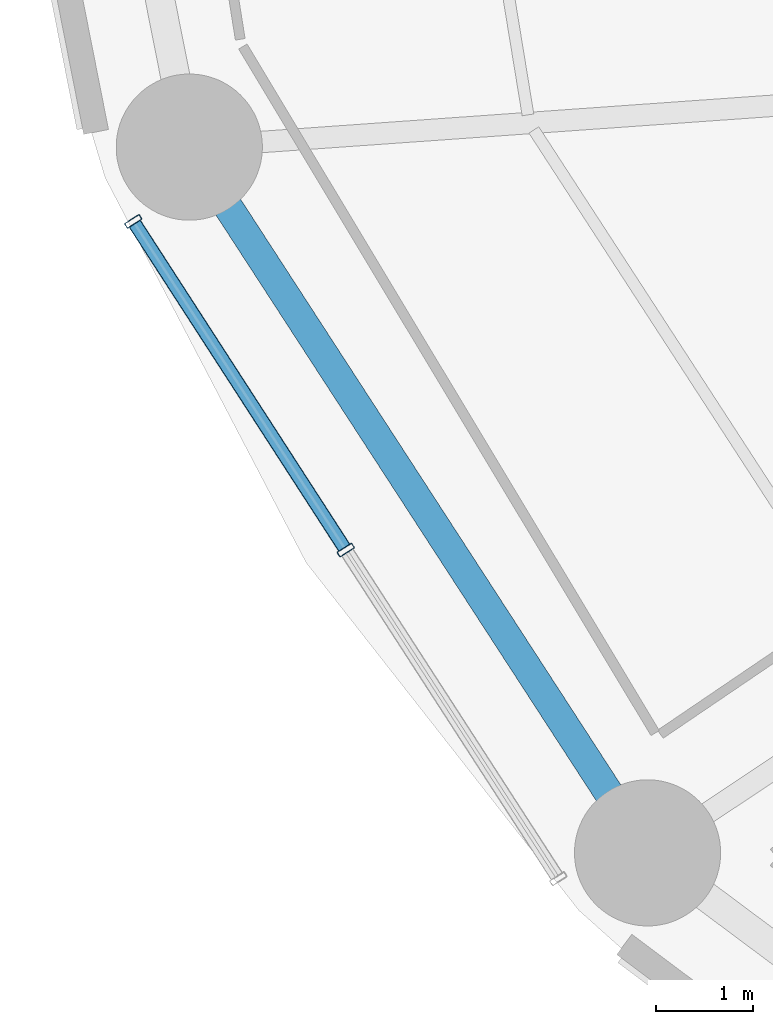
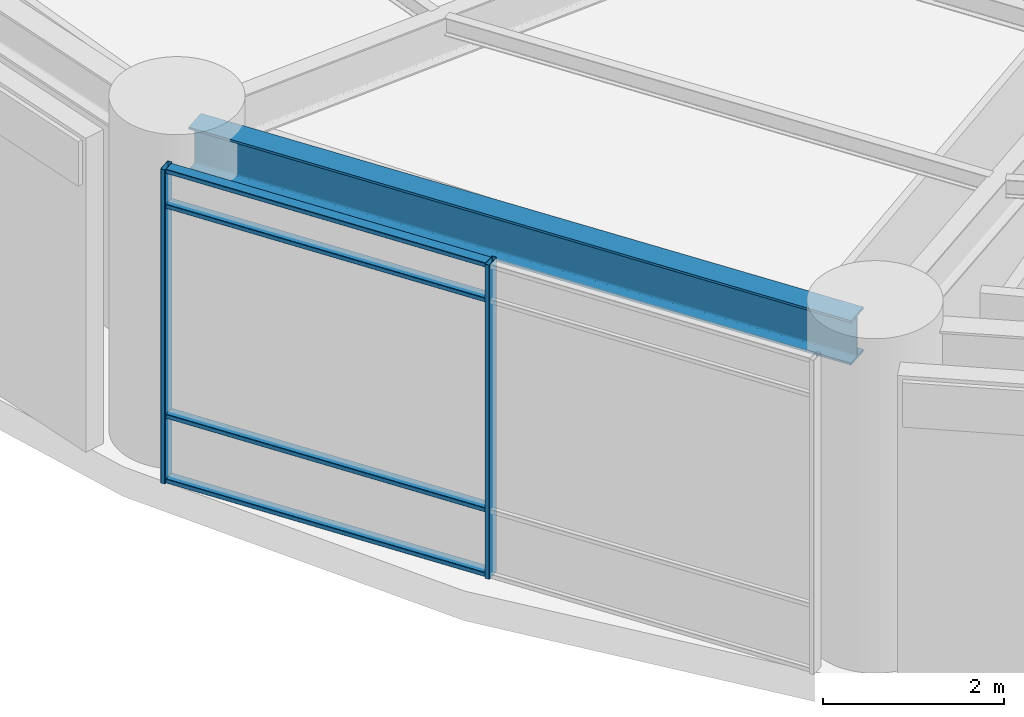
# One storey, part 8 of 46: 6 members, 1 beam, 1 element without a shape of its own.
"""IFC4 building model written with IfcOpenShell, lengths in metres."""

from ifc_helpers import new_model, si_unit, direction, frame, origin, origin_2d, place, context, subcontext, project, spatial, hollow_rectangle, i_section, extrude, material, layer, layer_set, material_profile, profile_set, type_object, element, aggregate, save


model = new_model("IFC4")

# Units and contexts
model_context = context("Model", 3, precision=1e-05, world=origin(), true_north=direction((0.0, 1.0)))
body_context = subcontext(model_context, "Body", "Model", "MODEL_VIEW")
ifc_project = project(units=[si_unit("LENGTHUNIT", "METRE"), si_unit("AREAUNIT", "SQUARE_METRE"), si_unit("VOLUMEUNIT", "CUBIC_METRE"), si_unit("PLANEANGLEUNIT", "RADIAN"), si_unit("MASSUNIT", "GRAM", prefix="KILO")], contexts=[model_context])

# Site, building, storey
site_placement = place(None, origin())
site = spatial("IfcSite", under=ifc_project, at=site_placement, CompositionType="ELEMENT")
building_placement = place(site_placement, origin())
building = spatial("IfcBuilding", under=site, at=building_placement, Name="Kelanora Arch Commons", CompositionType="ELEMENT")
storey_placement = place(building_placement, frame((0.0, 0.0, 18.0)))
storey = spatial("IfcBuildingStorey", under=building, at=storey_placement, Name="L04", CompositionType="ELEMENT", Elevation=18.0)

# Beam
ifc_material_1 = material(Name="Steel S355", Category="steel")
ifc_material_profile_1 = material_profile(ifc_material_1, i_section(OverallWidth=0.300048828125, OverallDepth=0.60009765625, WebThickness=0.015380859375, FlangeThickness=0.030029296875, FilletRadius=0.027099609375, at=origin_2d()), Name="HEB600")
ifc_profile_set_1 = profile_set([ifc_material_profile_1], Name="Steel S355")
beam_type = type_object("IfcBeamType", Name="BM-SPN-Z1", PredefinedType="SPANDREL", material=ifc_profile_set_1)
beam_placement = place(storey_placement, frame((48.6728515625, 49.57958984375, 3.93994140625), z_axis=(0.544580949539, -0.838708286235, 0.0), x_axis=(0.838708286235, 0.544580949539, 0.0)))
element("IfcBeam", 1, at=beam_placement, inside=storey, type_object=beam_type, Name="Perimeter Spandrel Beam BS-20 L04", PredefinedType="SPANDREL", context=body_context, shape_type="SweptSolid", body=[
    extrude(i_section(OverallWidth=0.300048828125, OverallDepth=0.60009765625, WebThickness=0.015380859375, FlangeThickness=0.030029296875, FilletRadius=0.027099609375, at=origin_2d()), origin(), (0.0, 0.0, 1.0), 8.195068359375),
])

# Curtain wall, members
ifc_material_2 = material(Name="Terracotta ceramic-fritted low-E glass and aluminium", Category="masonry")
ifc_layer = layer(ifc_material_2, 0.2099609375)
ifc_layer_set = layer_set([ifc_layer], Name="Terracotta ceramic-fritted low-E glass and aluminium")
curtain_wall_type = type_object("IfcCurtainWallType", Name="CW-SYS-04", PredefinedType="NOTDEFINED", material=ifc_layer_set)
curtain_wall_placement = place(storey_placement, origin())
curtain_wall = element("IfcCurtainWall", 2, at=curtain_wall_placement, inside=storey, type_object=curtain_wall_type, Name="Unitised Curtain Wall L04-B10", PredefinedType="NOTDEFINED")
ifc_material_3 = material(Name="Powder-coated aluminium terracotta", Category="masonry")
ifc_material_profile_2 = material_profile(ifc_material_3, hollow_rectangle(XDim=0.179931640625, YDim=0.06005859375, WallThickness=0.0048828125, InnerFilletRadius=0.0048828125, OuterFilletRadius=0.010009765625, at=origin_2d()), Name="CWM180x60")
ifc_profile_set_2 = profile_set([ifc_material_profile_2], Name="Powder-coated aluminium terracotta")
member_type_1 = type_object("IfcMemberType", Name="CWM-HVY", PredefinedType="MULLION", material=ifc_profile_set_2)
member_1_placement = place(storey_placement, frame((47.97802734375, 49.001953125, 0.0), z_axis=(0.0, 0.0, 1.0), x_axis=(0.839728582399, 0.54300636083, 0.0)))
member_1 = element("IfcMember", 3, at=member_1_placement, type_object=member_type_1, Name="CW-04 mullion 1", PredefinedType="MULLION", context=body_context, shape_type="SweptSolid", body=[
    extrude(hollow_rectangle(XDim=0.179931640625, YDim=0.06005859375, WallThickness=0.0048828125, InnerFilletRadius=0.0048828125, OuterFilletRadius=0.010009765625, at=origin_2d()), origin(), (0.0, 0.0, 1.0), 4.22509765625),
])
member_2_placement = place(storey_placement, frame((50.158935546875, 45.629150390625, 0.0), z_axis=(0.0, 0.0, 1.0), x_axis=(0.839728582399, 0.54300636083, 0.0)))
member_2 = element("IfcMember", 4, at=member_2_placement, type_object=member_type_1, Name="CW-04 mullion 2", PredefinedType="MULLION", context=body_context, shape_type="SweptSolid", body=[
    extrude(hollow_rectangle(XDim=0.179931640625, YDim=0.06005859375, WallThickness=0.0048828125, InnerFilletRadius=0.0048828125, OuterFilletRadius=0.010009765625, at=origin_2d()), origin(), (0.0, 0.0, 1.0), 4.22509765625),
])
ifc_material_profile_3 = material_profile(ifc_material_3, hollow_rectangle(XDim=0.139892578125, YDim=0.06005859375, WallThickness=0.0048828125, InnerFilletRadius=0.0048828125, OuterFilletRadius=0.010009765625, at=origin_2d()), Name="CWT140x60")
ifc_profile_set_3 = profile_set([ifc_material_profile_3], Name="Powder-coated aluminium terracotta")
member_type_2 = type_object("IfcMemberType", Name="CWT-HVY", PredefinedType="USERDEFINED", material=ifc_profile_set_3)
member_3_placement = place(storey_placement, frame((47.994384765625, 48.976806640625, 0.030029296875), z_axis=(0.54299796475, -0.839734011623, 0.0), x_axis=(0.839734011623, 0.54299796475, 0.0)))
member_3 = element("IfcMember", 5, at=member_3_placement, type_object=member_type_2, Name="CW-04 transom 1.1", ObjectType="TRANSOM", PredefinedType="USERDEFINED", context=body_context, shape_type="SweptSolid", body=[
    extrude(hollow_rectangle(XDim=0.139892578125, YDim=0.06005859375, WallThickness=0.0048828125, InnerFilletRadius=0.0048828125, OuterFilletRadius=0.010009765625, at=origin_2d()), origin(), (0.0, 0.0, 1.0), 3.95654296875),
])
member_4_placement = place(storey_placement, frame((47.994384765625, 48.976806640625, 0.89990234375), z_axis=(0.54299796475, -0.839734011623, 0.0), x_axis=(0.839734011623, 0.54299796475, 0.0)))
member_4 = element("IfcMember", 6, at=member_4_placement, type_object=member_type_2, Name="CW-04 transom 1.2", ObjectType="TRANSOM", PredefinedType="USERDEFINED", context=body_context, shape_type="SweptSolid", body=[
    extrude(hollow_rectangle(XDim=0.139892578125, YDim=0.06005859375, WallThickness=0.0048828125, InnerFilletRadius=0.0048828125, OuterFilletRadius=0.010009765625, at=origin_2d()), origin(), (0.0, 0.0, 1.0), 3.95654296875),
])
member_5_placement = place(storey_placement, frame((47.994384765625, 48.976806640625, 3.72509765625), z_axis=(0.54299796475, -0.839734011623, 0.0), x_axis=(0.839734011623, 0.54299796475, 0.0)))
member_5 = element("IfcMember", 7, at=member_5_placement, type_object=member_type_2, Name="CW-04 transom 1.3", ObjectType="TRANSOM", PredefinedType="USERDEFINED", context=body_context, shape_type="SweptSolid", body=[
    extrude(hollow_rectangle(XDim=0.139892578125, YDim=0.06005859375, WallThickness=0.0048828125, InnerFilletRadius=0.0048828125, OuterFilletRadius=0.010009765625, at=origin_2d()), origin(), (0.0, 0.0, 1.0), 3.95654296875),
])
member_6_placement = place(storey_placement, frame((47.994384765625, 48.976806640625, 4.195068359375), z_axis=(0.54299796475, -0.839734011623, 0.0), x_axis=(0.839734011623, 0.54299796475, 0.0)))
member_6 = element("IfcMember", 8, at=member_6_placement, type_object=member_type_2, Name="CW-04 transom 1.4", ObjectType="TRANSOM", PredefinedType="USERDEFINED", context=body_context, shape_type="SweptSolid", body=[
    extrude(hollow_rectangle(XDim=0.139892578125, YDim=0.06005859375, WallThickness=0.0048828125, InnerFilletRadius=0.0048828125, OuterFilletRadius=0.010009765625, at=origin_2d()), origin(), (0.0, 0.0, 1.0), 3.95654296875),
])
aggregate(curtain_wall, [member_1, member_2, member_3, member_4, member_5, member_6])

save(model, "model.ifc")
